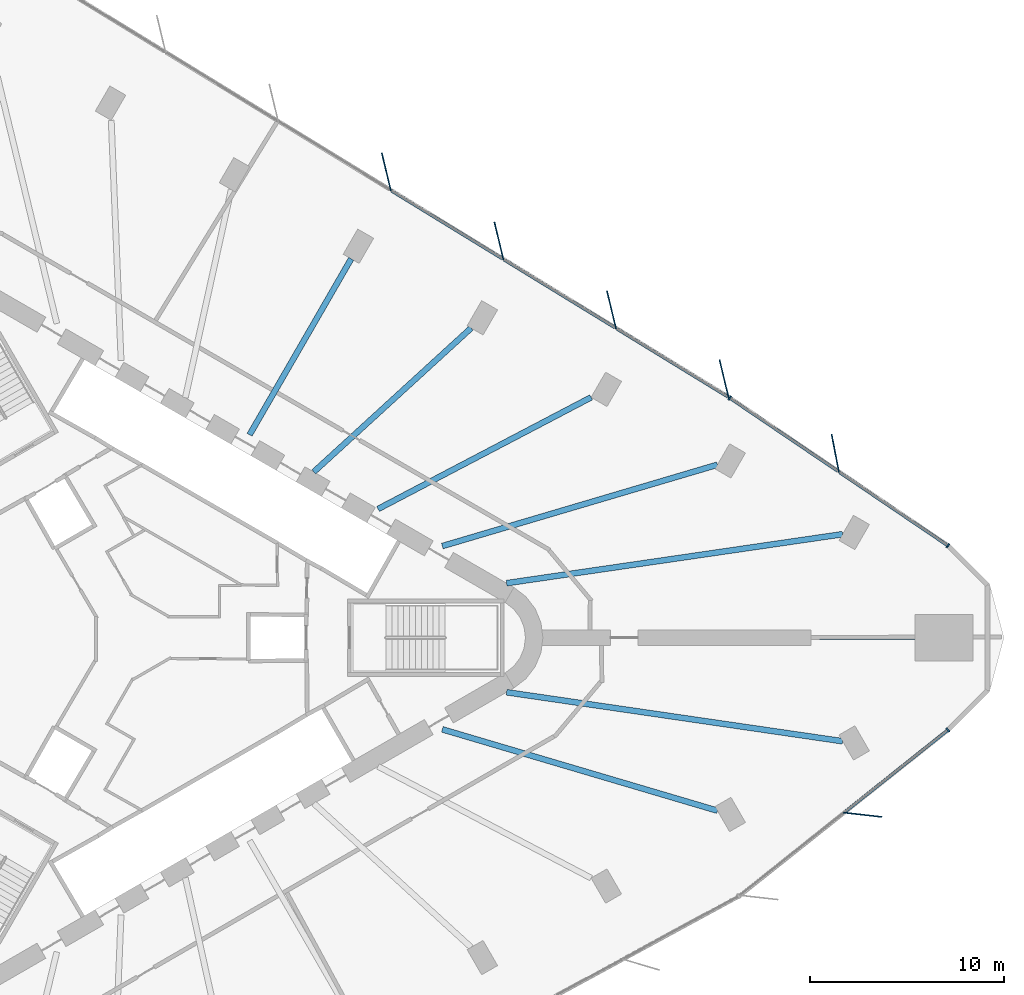
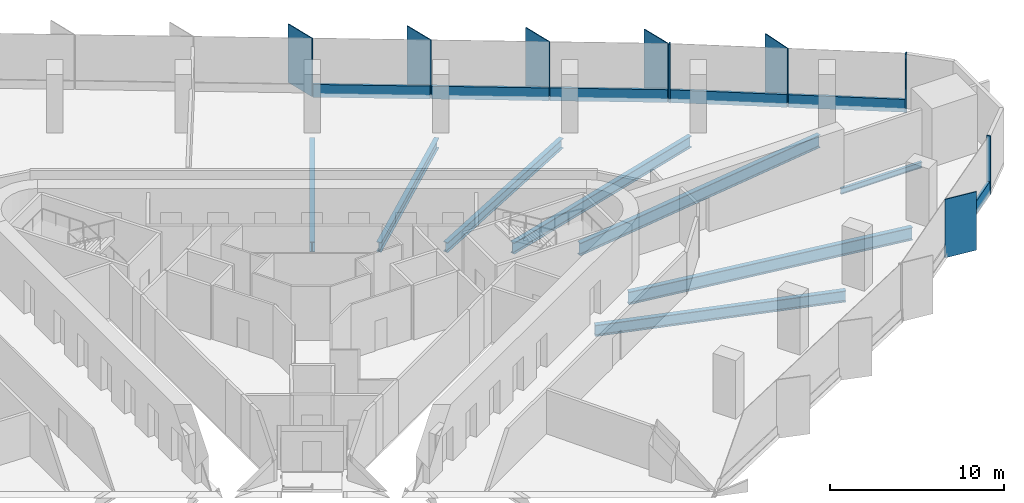
# One storey, part 5 of 13: 15 members, 8 beams, 3 elements without a shape of their own.
"""IFC4 building model written with IfcOpenShell, lengths in metres."""

from ifc_helpers import new_model, si_unit, direction, frame, origin, origin_2d, place, context, subcontext, project, spatial, rectangle, i_section, extrude, material, material_profile, profile_set, type_object, element, aggregate, save


model = new_model("IFC4")

# Units and contexts
model_context = context("Model", 3, precision=1e-05, world=origin(), true_north=direction((0.0, 1.0)))
body_context = subcontext(model_context, "Body", "Model", "MODEL_VIEW")
ifc_project = project(units=[si_unit("LENGTHUNIT", "METRE"), si_unit("AREAUNIT", "SQUARE_METRE"), si_unit("VOLUMEUNIT", "CUBIC_METRE"), si_unit("PLANEANGLEUNIT", "RADIAN"), si_unit("MASSUNIT", "GRAM", prefix="KILO")], contexts=[model_context])

# Site, building, storey
site_placement = place(None, origin())
site = spatial("IfcSite", under=ifc_project, at=site_placement, CompositionType="ELEMENT")
building_placement = place(site_placement, origin())
building = spatial("IfcBuilding", under=site, at=building_placement, Name="Tanit Gate Tower", CompositionType="ELEMENT")
storey_placement = place(building_placement, frame((0.0, 0.0, 61.89990234375)))
storey = spatial("IfcBuildingStorey", under=building, at=storey_placement, Name="L11", CompositionType="ELEMENT", Elevation=61.89990234375)

# Curtain wall, member
ifc_material_1 = material(Name="Aluminium bronze anodised and glass", Category="aluminium")
curtain_wall_type = type_object("IfcCurtainWallType", Name="Curtain wall typical low", PredefinedType="NOTDEFINED", material=ifc_material_1)
curtain_wall_1_placement = place(storey_placement, origin())
curtain_wall_1 = element("IfcCurtainWall", 1, at=curtain_wall_1_placement, inside=storey, type_object=curtain_wall_type, Name="Curtain wall L11 NE1", PredefinedType="NOTDEFINED")
ifc_material_2 = material(Name="Aluminium bronze anodised", Category="aluminium")
ifc_material_profile_1 = material_profile(ifc_material_2, rectangle(XDim=2.0, YDim=0.055908203125, at=origin_2d()), Name="56x2000 bronze fin mullion")
ifc_profile_set_1 = profile_set([ifc_material_profile_1], Name="Aluminium bronze anodised")
member_type_1 = type_object("IfcMemberType", Name="FIN MULLION 56x2000 bronze", PredefinedType="MULLION", material=ifc_profile_set_1)
member_1_placement = place(storey_placement, frame((36.299072265625, 9.5302734375, -0.2998046875), z_axis=(0.0, 0.0, 1.0), x_axis=(0.189172819388, -0.981943809189, 0.0)))
member_1 = element("IfcMember", 2, at=member_1_placement, type_object=member_type_1, Name="Fin mullion L11 NE1.2", PredefinedType="MULLION", context=body_context, shape_type="SweptSolid", body=[
    extrude(rectangle(XDim=2.0, YDim=0.055908203125, at=origin_2d()), origin(), (0.0, 0.0, 1.0), 4.099853515625),
])

# Curtain wall, members
curtain_wall_2_placement = place(storey_placement, origin())
curtain_wall_2 = element("IfcCurtainWall", 3, at=curtain_wall_2_placement, inside=storey, type_object=curtain_wall_type, Name="Curtain wall L11 NE2", PredefinedType="NOTDEFINED")
member_2_placement = place(storey_placement, frame((30.55615234375, 13.376708984375, -0.2998046875), z_axis=(0.0, 0.0, 1.0), x_axis=(0.233691416098, -0.972310815553, 0.0)))
member_2 = element("IfcMember", 4, at=member_2_placement, type_object=member_type_1, Name="Fin mullion L11 NE2.1", PredefinedType="MULLION", context=body_context, shape_type="SweptSolid", body=[
    extrude(rectangle(XDim=2.0, YDim=0.055908203125, at=origin_2d()), origin(), (0.0, 0.0, 1.0), 4.099853515625),
])
member_3_placement = place(storey_placement, frame((24.7421875, 16.9375, -0.2998046875), z_axis=(0.0, 0.0, 1.0), x_axis=(0.233691416098, -0.972310815553, 0.0)))
member_3 = element("IfcMember", 5, at=member_3_placement, type_object=member_type_1, Name="Fin mullion L11 NE2.2", PredefinedType="MULLION", context=body_context, shape_type="SweptSolid", body=[
    extrude(rectangle(XDim=2.0, YDim=0.055908203125, at=origin_2d()), origin(), (0.0, 0.0, 1.0), 4.099853515625),
])
member_4_placement = place(storey_placement, frame((18.92822265625, 20.498291015625, -0.2998046875), z_axis=(0.0, 0.0, 1.0), x_axis=(0.233691416098, -0.972310815553, 0.0)))
member_4 = element("IfcMember", 6, at=member_4_placement, type_object=member_type_1, Name="Fin mullion L11 NE2.3", PredefinedType="MULLION", context=body_context, shape_type="SweptSolid", body=[
    extrude(rectangle(XDim=2.0, YDim=0.055908203125, at=origin_2d()), origin(), (0.0, 0.0, 1.0), 4.099853515625),
])
member_5_placement = place(storey_placement, frame((13.1142578125, 24.05908203125, -0.2998046875), z_axis=(0.0, 0.0, 1.0), x_axis=(0.233691416098, -0.972310815553, 0.0)))
member_5 = element("IfcMember", 7, at=member_5_placement, type_object=member_type_1, Name="Fin mullion L11 NE2.4", PredefinedType="MULLION", context=body_context, shape_type="SweptSolid", body=[
    extrude(rectangle(XDim=2.0, YDim=0.055908203125, at=origin_2d()), origin(), (0.0, 0.0, 1.0), 4.099853515625),
])

# Curtain wall, member
curtain_wall_3_placement = place(storey_placement, origin())
curtain_wall_3 = element("IfcCurtainWall", 8, at=curtain_wall_3_placement, inside=storey, type_object=curtain_wall_type, Name="Curtain wall L11 SE3", PredefinedType="NOTDEFINED")
member_6_placement = place(storey_placement, frame((37.71826171875, -9.143310546875, -0.2998046875), z_axis=(0.0, 0.0, 1.0), x_axis=(-0.993566182952, 0.113252991549, 0.0)))
member_6 = element("IfcMember", 9, at=member_6_placement, type_object=member_type_1, Name="Fin mullion L11 SE3.2", PredefinedType="MULLION", context=body_context, shape_type="SweptSolid", body=[
    extrude(rectangle(XDim=2.0, YDim=0.055908203125, at=origin_2d()), origin(), (0.0, 0.0, 1.0), 4.099853515625),
])

# Member
ifc_material_3 = material(Name="Aluminium bronze anodised", Category="aluminium")
ifc_material_profile_2 = material_profile(ifc_material_3, rectangle(XDim=0.239990234375, YDim=0.080078125, at=origin_2d()), Name="80x240 bronze mullion")
ifc_profile_set_2 = profile_set([ifc_material_profile_2], Name="Aluminium bronze anodised")
member_type_2 = type_object("IfcMemberType", Name="Mullion 80x240 typical low", PredefinedType="MULLION", material=ifc_profile_set_2)
member_7_placement = place(storey_placement, frame((42.115966796875, 4.758056640625, -0.2998046875), z_axis=(0.0, 0.0, 1.0), x_axis=(-0.560573742816, -0.828104509627, 0.0)))
member_7 = element("IfcMember", 10, at=member_7_placement, type_object=member_type_2, Name="Mullion L11 NE1.1", PredefinedType="MULLION", context=body_context, shape_type="SweptSolid", body=[
    extrude(rectangle(XDim=0.239990234375, YDim=0.080078125, at=origin_2d()), origin(), (0.0, 0.0, 1.0), 4.099853515625),
])

member_8_placement = place(storey_placement, frame((30.8515625, 12.38330078125, -0.2998046875), z_axis=(0.0, 0.0, 1.0), x_axis=(-0.560573742816, -0.828104509627, 0.0)))
member_8 = element("IfcMember", 11, at=member_8_placement, type_object=member_type_2, Name="Mullion L11 NE1.3", PredefinedType="MULLION", context=body_context, shape_type="SweptSolid", body=[
    extrude(rectangle(XDim=0.239990234375, YDim=0.080078125, at=origin_2d()), origin(), (0.0, 0.0, 1.0), 4.099853515625),
])

member_9_placement = place(storey_placement, frame((42.114501953125, -4.763671875, -0.2998046875), z_axis=(0.0, 0.0, 1.0), x_axis=(-0.622475427209, 0.782639343837, 0.0)))
member_9 = element("IfcMember", 12, at=member_9_placement, type_object=member_type_2, Name="Mullion L11 SE3.3", PredefinedType="MULLION", context=body_context, shape_type="SweptSolid", body=[
    extrude(rectangle(XDim=0.239990234375, YDim=0.080078125, at=origin_2d()), origin(), (0.0, 0.0, 1.0), 4.099853515625),
])

# Beams
ifc_material_4 = material(Name="Steel S355", Category="steel")
ifc_material_profile_3 = material_profile(ifc_material_4, i_section(OverallWidth=0.300048828125, OverallDepth=0.68994140625, WebThickness=0.014404296875, FlangeThickness=0.027099609375, FilletRadius=0.027099609375, at=origin_2d()), Name="HEA 700")
ifc_profile_set_3 = profile_set([ifc_material_profile_3], Name="Steel S355")
beam_type_1 = type_object("IfcBeamType", Name="RADIAL GIRDER HEA 700 S355", PredefinedType="BEAM", material=ifc_profile_set_3)
beam_1_placement = place(storey_placement, frame((23.688232421875, 12.413330078125, -0.64501953125), z_axis=(-0.885753028524, -0.464156840368, 0.0), x_axis=(0.464156840368, -0.885753028524, 0.0)))
element("IfcBeam", 13, at=beam_1_placement, inside=storey, type_object=beam_type_1, Name="RADIAL GIRDER", PredefinedType="BEAM", context=body_context, shape_type="SweptSolid", body=[
    extrude(i_section(OverallWidth=0.300048828125, OverallDepth=0.68994140625, WebThickness=0.014404296875, FlangeThickness=0.027099609375, FilletRadius=0.027099609375, at=origin_2d()), origin(), (0.0, 0.0, 1.0), 12.419189453125),
])
beam_2_placement = place(storey_placement, frame((17.492919921875, 15.990478515625, -0.64501953125), z_axis=(-0.738094457914, -0.674697392315, 0.0), x_axis=(0.674697392315, -0.738094457914, 0.0)))
element("IfcBeam", 14, at=beam_2_placement, inside=storey, type_object=beam_type_1, Name="RADIAL GIRDER", PredefinedType="BEAM", context=body_context, shape_type="SweptSolid", body=[
    extrude(i_section(OverallWidth=0.300048828125, OverallDepth=0.68994140625, WebThickness=0.014404296875, FlangeThickness=0.027099609375, FilletRadius=0.027099609375, at=origin_2d()), origin(), (0.0, 0.0, 1.0), 11.006103515625),
])
beam_3_placement = place(storey_placement, frame((11.29736328125, 19.5673828125, -0.64501953125), z_axis=(-0.500010476433, -0.866019355129, 0.0), x_axis=(0.866019355129, -0.500010476433, 0.0)))
element("IfcBeam", 15, at=beam_3_placement, inside=storey, type_object=beam_type_1, Name="RADIAL GIRDER", PredefinedType="BEAM", context=body_context, shape_type="SweptSolid", body=[
    extrude(i_section(OverallWidth=0.300048828125, OverallDepth=0.68994140625, WebThickness=0.014404296875, FlangeThickness=0.027099609375, FilletRadius=0.027099609375, at=origin_2d()), origin(), (0.0, 0.0, 1.0), 10.492431640625),
])
ifc_material_5 = material(Name="Steel S355", Category="steel")
ifc_material_profile_4 = material_profile(ifc_material_5, i_section(OverallWidth=0.300048828125, OverallDepth=0.7900390625, WebThickness=0.014892578125, FlangeThickness=0.028076171875, FilletRadius=0.030029296875, at=origin_2d()), Name="HEA 800")
ifc_profile_set_4 = profile_set([ifc_material_profile_4], Name="Steel S355")
beam_type_2 = type_object("IfcBeamType", Name="RADIAL GIRDER HEA 800 S355", PredefinedType="BEAM", material=ifc_profile_set_4)
for number, where, z_axis, x_axis, name in (
    (16, (30.21435546875, -8.93408203125, -0.69482421875), (-0.958956219652, 0.283554172585, 0.0), (-0.283554172585, -0.958956219652, 0.0), "RADIAL GIRDER"),
    (17, (30.21435546875, 8.93408203125, -0.69482421875), (-0.958956219652, -0.283554172585, 0.0), (0.283554172585, -0.958956219652, 0.0), "RADIAL GIRDER"),
):
    element("IfcBeam", number, at=place(storey_placement, frame(where, z_axis=z_axis, x_axis=x_axis)), inside=storey, type_object=beam_type_2, Name=name, PredefinedType="BEAM", context=body_context, shape_type="SweptSolid", body=[
        extrude(i_section(OverallWidth=0.300048828125, OverallDepth=0.7900390625, WebThickness=0.014892578125, FlangeThickness=0.028076171875, FilletRadius=0.030029296875, at=origin_2d()), origin(), (0.0, 0.0, 1.0), 14.816162109375),
    ])
ifc_material_6 = material(Name="Steel S355", Category="steel")
ifc_material_profile_5 = material_profile(ifc_material_6, i_section(OverallWidth=0.300048828125, OverallDepth=0.889892578125, WebThickness=0.01611328125, FlangeThickness=0.030029296875, FilletRadius=0.030029296875, at=origin_2d()), Name="HEA 900")
ifc_profile_set_5 = profile_set([ifc_material_profile_5], Name="Steel S355")
beam_type_3 = type_object("IfcBeamType", Name="RADIAL GIRDER HEA 900 S355", PredefinedType="BEAM", material=ifc_profile_set_5)
for number, where, z_axis, x_axis, name in (
    (18, (36.677978515625, -5.3466796875, -0.744873046875), (-0.989542297622, 0.14424299365, 0.0), (-0.14424299365, -0.989542297622, 0.0), "RADIAL GIRDER"),
    (19, (36.677978515625, 5.3466796875, -0.744873046875), (-0.989542297622, -0.14424299365, 0.0), (0.14424299365, -0.989542297622, 0.0), "RADIAL GIRDER"),
):
    element("IfcBeam", number, at=place(storey_placement, frame(where, z_axis=z_axis, x_axis=x_axis)), inside=storey, type_object=beam_type_3, Name=name, PredefinedType="BEAM", context=body_context, shape_type="SweptSolid", body=[
        extrude(i_section(OverallWidth=0.300048828125, OverallDepth=0.889892578125, WebThickness=0.01611328125, FlangeThickness=0.030029296875, FilletRadius=0.030029296875, at=origin_2d()), origin(), (0.0, 0.0, 1.0), 17.53662109375),
    ])
ifc_material_7 = material(Name="Steel S355", Category="steel")
ifc_material_profile_6 = material_profile(ifc_material_7, i_section(OverallWidth=0.179931640625, OverallDepth=0.39990234375, WebThickness=0.008544921875, FlangeThickness=0.013427734375, FilletRadius=0.02099609375, at=origin_2d()), Name="IPE 400")
ifc_profile_set_6 = profile_set([ifc_material_profile_6], Name="Steel S355")
beam_type_4 = type_object("IfcBeamType", Name="RADIAL GIRDER IPE 400 S355", PredefinedType="BEAM", material=ifc_profile_set_6)
beam_4_placement = place(storey_placement, frame((40.41357421875, 0.0, -0.5), z_axis=(-1.0, 0.0, 0.0), x_axis=(0.0, -1.0, 0.0)))
element("IfcBeam", 20, at=beam_4_placement, inside=storey, type_object=beam_type_4, Name="RADIAL GIRDER", PredefinedType="BEAM", context=body_context, shape_type="SweptSolid", body=[
    extrude(i_section(OverallWidth=0.179931640625, OverallDepth=0.39990234375, WebThickness=0.008544921875, FlangeThickness=0.013427734375, FilletRadius=0.02099609375, at=origin_2d()), origin(), (0.0, 0.0, 1.0), 5.3798828125),
])

# Member
ifc_material_8 = material(Name="Aluminium bronze anodised", Category="aluminium")
ifc_material_profile_7 = material_profile(ifc_material_8, rectangle(XDim=0.159912109375, YDim=0.89990234375, at=origin_2d()), Name="160x900 bronze transom")
ifc_profile_set_7 = profile_set([ifc_material_profile_7], Name="Aluminium bronze anodised")
member_type_3 = type_object("IfcMemberType", Name="Transom 160x900 typical low", PredefinedType="USERDEFINED", material=ifc_profile_set_7)
member_10_placement = place(storey_placement, frame((42.0830078125, 4.7802734375, 0.150146484375), z_axis=(-0.828100911484, 0.560579058116, 0.0), x_axis=(-0.560579058116, -0.828100911484, 0.0)))
member_10 = element("IfcMember", 21, at=member_10_placement, type_object=member_type_3, Name="Transom L11 NE1.1", ObjectType="TRANSOM", PredefinedType="USERDEFINED", context=body_context, shape_type="SweptSolid", body=[
    extrude(rectangle(XDim=0.159912109375, YDim=0.89990234375, at=origin_2d()), origin(), (0.0, 0.0, 1.0), 6.72119140625),
])

member_11_placement = place(storey_placement, frame((36.45068359375, 8.593017578125, 0.150146484375), z_axis=(-0.828100911484, 0.560579058116, 0.0), x_axis=(-0.560579058116, -0.828100911484, 0.0)))
member_11 = element("IfcMember", 22, at=member_11_placement, type_object=member_type_3, Name="Transom L11 NE1.2", ObjectType="TRANSOM", PredefinedType="USERDEFINED", context=body_context, shape_type="SweptSolid", body=[
    extrude(rectangle(XDim=0.159912109375, YDim=0.89990234375, at=origin_2d()), origin(), (0.0, 0.0, 1.0), 6.72119140625),
])

aggregate(curtain_wall_1, [member_7, member_1, member_8, member_10, member_11])

member_12_placement = place(storey_placement, frame((30.750244140625, 12.447509765625, 0.150146484375), z_axis=(-0.852779833847, 0.52227057641, 0.0), x_axis=(-0.52227057641, -0.852779833847, 0.0)))
member_12 = element("IfcMember", 23, at=member_12_placement, type_object=member_type_3, Name="Transom L11 NE2.1", ObjectType="TRANSOM", PredefinedType="USERDEFINED", context=body_context, shape_type="SweptSolid", body=[
    extrude(rectangle(XDim=0.159912109375, YDim=0.89990234375, at=origin_2d()), origin(), (0.0, 0.0, 1.0), 6.737548828125),
])

member_13_placement = place(storey_placement, frame((24.936279296875, 16.008056640625, 0.150146484375), z_axis=(-0.852763694856, 0.522296927749, 0.0), x_axis=(-0.522296927749, -0.852763694856, 0.0)))
member_13 = element("IfcMember", 24, at=member_13_placement, type_object=member_type_3, Name="Transom L11 NE2.2", ObjectType="TRANSOM", PredefinedType="USERDEFINED", context=body_context, shape_type="SweptSolid", body=[
    extrude(rectangle(XDim=0.159912109375, YDim=0.89990234375, at=origin_2d()), origin(), (0.0, 0.0, 1.0), 6.737548828125),
])

member_14_placement = place(storey_placement, frame((19.12255859375, 19.56884765625, 0.150146484375), z_axis=(-0.852773579198, 0.522280789061, 0.0), x_axis=(-0.522280789061, -0.852773579198, 0.0)))
member_14 = element("IfcMember", 25, at=member_14_placement, type_object=member_type_3, Name="Transom L11 NE2.3", ObjectType="TRANSOM", PredefinedType="USERDEFINED", context=body_context, shape_type="SweptSolid", body=[
    extrude(rectangle(XDim=0.159912109375, YDim=0.89990234375, at=origin_2d()), origin(), (0.0, 0.0, 1.0), 6.73779296875),
])

aggregate(curtain_wall_2, [member_2, member_3, member_4, member_5, member_12, member_13, member_14])

member_15_placement = place(storey_placement, frame((36.778564453125, -9.0078125, 0.150146484375), z_axis=(0.782629768597, 0.622487465983, 0.0), x_axis=(-0.622487465983, 0.782629768597, 0.0)))
member_15 = element("IfcMember", 26, at=member_15_placement, type_object=member_type_3, Name="Transom L11 SE3.2", ObjectType="TRANSOM", PredefinedType="USERDEFINED", context=body_context, shape_type="SweptSolid", body=[
    extrude(rectangle(XDim=0.159912109375, YDim=0.89990234375, at=origin_2d()), origin(), (0.0, 0.0, 1.0), 6.778076171875),
])

aggregate(curtain_wall_3, [member_6, member_9, member_15])

save(model, "model.ifc")
